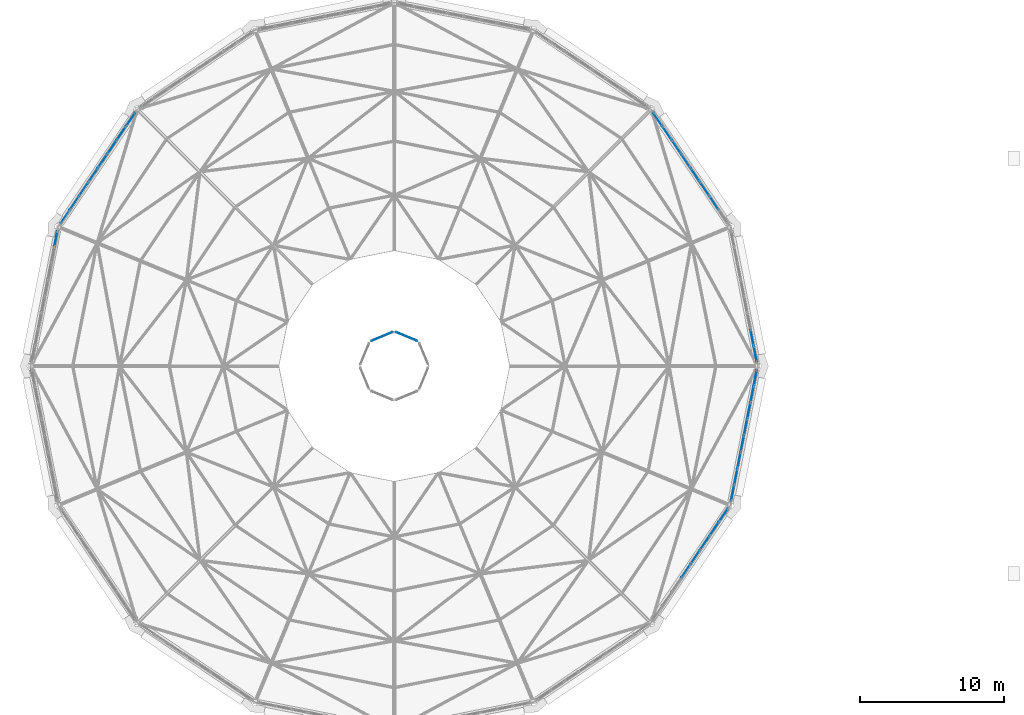
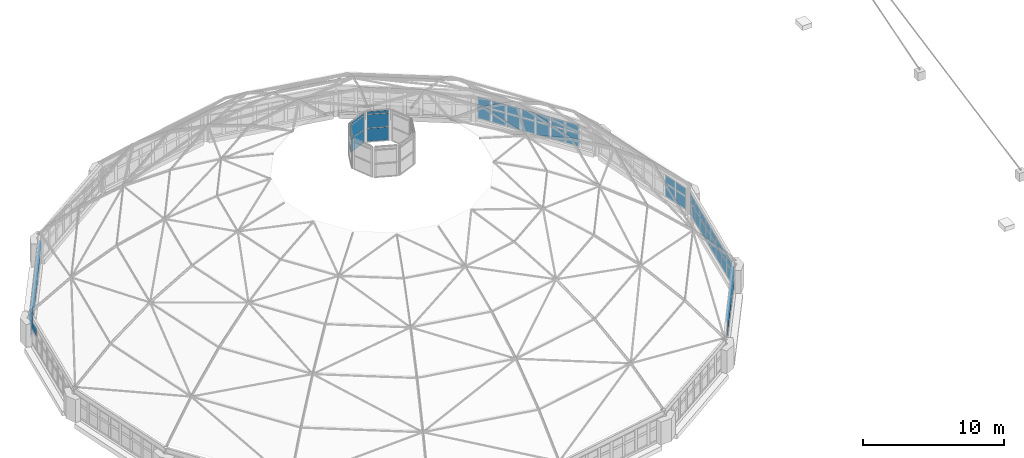
# One storey, part 42 of 68: 67 plates, 8 elements without a shape of their own.
"""IFC4 building model written with IfcOpenShell, lengths in metres."""

from ifc_helpers import new_model, si_unit, direction, frame, origin, origin_2d, place, context, subcontext, project, spatial, rectangle, extrude, material, layer, layer_set, type_object, element, aggregate, save


model = new_model("IFC4")

# Units and contexts
model_context = context("Model", 3, precision=1e-05, world=origin(), true_north=direction((0.0, 1.0)))
body_context = subcontext(model_context, "Body", "Model", "MODEL_VIEW")
ifc_project = project(units=[si_unit("LENGTHUNIT", "METRE"), si_unit("AREAUNIT", "SQUARE_METRE"), si_unit("VOLUMEUNIT", "CUBIC_METRE"), si_unit("PLANEANGLEUNIT", "RADIAN"), si_unit("MASSUNIT", "GRAM", prefix="KILO")], contexts=[model_context])

# Site, building, storey
site_placement = place(None, origin())
site = spatial("IfcSite", under=ifc_project, at=site_placement, CompositionType="ELEMENT")
building_placement = place(site_placement, origin())
building = spatial("IfcBuilding", under=site, at=building_placement, Name="Kupolbacken Congress Centre", CompositionType="ELEMENT")
storey_placement = place(building_placement, frame((0.0, 0.0, 25.199951171875)))
storey = spatial("IfcBuildingStorey", under=building, at=storey_placement, Name="L07", CompositionType="ELEMENT", Elevation=25.199951171875)

# Curtain wall, plates
ifc_material_1 = material(Name="Aluminium mullion-transom frame with glass", Category="aluminium")
curtain_wall_type_1 = type_object("IfcCurtainWallType", Name="CW8 curtain wall 2400x3600", PredefinedType="NOTDEFINED", material=ifc_material_1)
curtain_wall_1_placement = place(storey_placement, origin())
curtain_wall_1 = element("IfcCurtainWall", 1, at=curtain_wall_1_placement, inside=storey, type_object=curtain_wall_type_1, Name="DM/LAN/CW02", PredefinedType="NOTDEFINED")
ifc_material_2 = material(Name="Glass", Category="glass")
ifc_layer = layer(ifc_material_2, 0.028076171875)
ifc_layer_set = layer_set([ifc_layer], Name="Glass")
plate_type = type_object("IfcPlateType", Name="GL1 glass panel 28", PredefinedType="CURTAIN_PANEL", material=ifc_layer_set)
plate_1_placement = place(storey_placement, frame((44.048583984375, 88.448486328125, 13.89111328125), z_axis=(0.0, 0.0, 1.0), x_axis=(-0.923879532565, 0.382683432236, 0.0)))
plate_1 = element("IfcPlate", 2, at=plate_1_placement, type_object=plate_type, Name="CW8 panel 1.1", PredefinedType="CURTAIN_PANEL", context=body_context, shape_type="SweptSolid", body=[
    extrude(rectangle(XDim=1.568603515625, YDim=0.028076171875, at=origin_2d()), origin(), (0.0, 0.0, 1.0), 1.125),
])
plate_2_placement = place(storey_placement, frame((44.048583984375, 88.448486328125, 15.066162109375), z_axis=(0.0, 0.0, 1.0), x_axis=(-0.923879532565, 0.382683432236, 0.0)))
plate_2 = element("IfcPlate", 3, at=plate_2_placement, type_object=plate_type, Name="CW8 panel 1.2", PredefinedType="CURTAIN_PANEL", context=body_context, shape_type="SweptSolid", body=[
    extrude(rectangle(XDim=1.568603515625, YDim=0.028076171875, at=origin_2d()), origin(), (0.0, 0.0, 1.0), 1.14990234375),
])
plate_3_placement = place(storey_placement, frame((44.048583984375, 88.448486328125, 16.26611328125), z_axis=(0.0, 0.0, 1.0), x_axis=(-0.923879532565, 0.382683432236, 0.0)))
plate_3 = element("IfcPlate", 4, at=plate_3_placement, type_object=plate_type, Name="CW8 panel 1.3", PredefinedType="CURTAIN_PANEL", context=body_context, shape_type="SweptSolid", body=[
    extrude(rectangle(XDim=1.568603515625, YDim=0.028076171875, at=origin_2d()), origin(), (0.0, 0.0, 1.0), 0.22509765625),
])
aggregate(curtain_wall_1, [plate_1, plate_2, plate_3])

curtain_wall_2_placement = place(storey_placement, origin())
curtain_wall_2 = element("IfcCurtainWall", 5, at=curtain_wall_2_placement, inside=storey, type_object=curtain_wall_type_1, Name="DM/LAN/CW03", PredefinedType="NOTDEFINED")
plate_4_placement = place(storey_placement, frame((42.3515625, 88.448486328125, 13.89111328125), z_axis=(0.0, 0.0, 1.0), x_axis=(-0.923879532565, -0.382683432236, 0.0)))
plate_4 = element("IfcPlate", 6, at=plate_4_placement, type_object=plate_type, Name="CW8 panel 1.1", PredefinedType="CURTAIN_PANEL", context=body_context, shape_type="SweptSolid", body=[
    extrude(rectangle(XDim=1.568603515625, YDim=0.028076171875, at=origin_2d()), origin(), (0.0, 0.0, 1.0), 1.125),
])
plate_5_placement = place(storey_placement, frame((42.3515625, 88.448486328125, 15.066162109375), z_axis=(0.0, 0.0, 1.0), x_axis=(-0.923879532565, -0.382683432236, 0.0)))
plate_5 = element("IfcPlate", 7, at=plate_5_placement, type_object=plate_type, Name="CW8 panel 1.2", PredefinedType="CURTAIN_PANEL", context=body_context, shape_type="SweptSolid", body=[
    extrude(rectangle(XDim=1.568603515625, YDim=0.028076171875, at=origin_2d()), origin(), (0.0, 0.0, 1.0), 1.14990234375),
])
plate_6_placement = place(storey_placement, frame((42.3515625, 88.448486328125, 16.26611328125), z_axis=(0.0, 0.0, 1.0), x_axis=(-0.923879532565, -0.382683432236, 0.0)))
plate_6 = element("IfcPlate", 8, at=plate_6_placement, type_object=plate_type, Name="CW8 panel 1.3", PredefinedType="CURTAIN_PANEL", context=body_context, shape_type="SweptSolid", body=[
    extrude(rectangle(XDim=1.568603515625, YDim=0.028076171875, at=origin_2d()), origin(), (0.0, 0.0, 1.0), 0.22509765625),
])
aggregate(curtain_wall_2, [plate_4, plate_5, plate_6])

ifc_material_3 = material(Name="Aluminium mullion-transom frame with glass", Category="aluminium")
curtain_wall_type_2 = type_object("IfcCurtainWallType", Name="CW3 curtain wall 9830x3600", PredefinedType="NOTDEFINED", material=ifc_material_3)
curtain_wall_3_placement = place(storey_placement, origin())
curtain_wall_3 = element("IfcCurtainWall", 9, at=curtain_wall_3_placement, inside=storey, type_object=curtain_wall_type_2, Name="E/P/drum/cw/L07/06", PredefinedType="NOTDEFINED")
plate_7_placement = place(storey_placement, frame((63.423828125, 72.191650390625, 0.4599609375), z_axis=(0.0, 0.0, 1.0), x_axis=(0.559385512775, 0.82890762338, 0.0)))
plate_7 = element("IfcPlate", 10, at=plate_7_placement, type_object=plate_type, Name="CW3 panel 4.1", PredefinedType="CURTAIN_PANEL", context=body_context, shape_type="SweptSolid", body=[
    extrude(rectangle(XDim=1.1064453125, YDim=0.028076171875, at=origin_2d()), origin(), (0.0, 0.0, 1.0), 1.110107421875),
])
plate_8_placement = place(storey_placement, frame((63.423828125, 72.191650390625, 1.6298828125), z_axis=(0.0, 0.0, 1.0), x_axis=(0.559385512775, 0.82890762338, 0.0)))
plate_8 = element("IfcPlate", 11, at=plate_8_placement, type_object=plate_type, Name="CW3 panel 4.2", PredefinedType="CURTAIN_PANEL", context=body_context, shape_type="SweptSolid", body=[
    extrude(rectangle(XDim=1.1064453125, YDim=0.028076171875, at=origin_2d()), origin(), (0.0, 0.0, 1.0), 0.699951171875),
])
plate_9_placement = place(storey_placement, frame((64.076171875, 73.158447265625, 0.4599609375), z_axis=(0.0, 0.0, 1.0), x_axis=(0.559385512775, 0.82890762338, 0.0)))
plate_9 = element("IfcPlate", 12, at=plate_9_placement, type_object=plate_type, Name="CW3 panel 5.1", PredefinedType="CURTAIN_PANEL", context=body_context, shape_type="SweptSolid", body=[
    extrude(rectangle(XDim=1.1064453125, YDim=0.028076171875, at=origin_2d()), origin(), (0.0, 0.0, 1.0), 1.110107421875),
])
plate_10_placement = place(storey_placement, frame((64.076171875, 73.158447265625, 1.6298828125), z_axis=(0.0, 0.0, 1.0), x_axis=(0.559385512775, 0.82890762338, 0.0)))
plate_10 = element("IfcPlate", 13, at=plate_10_placement, type_object=plate_type, Name="CW3 panel 5.2", PredefinedType="CURTAIN_PANEL", context=body_context, shape_type="SweptSolid", body=[
    extrude(rectangle(XDim=1.1064453125, YDim=0.028076171875, at=origin_2d()), origin(), (0.0, 0.0, 1.0), 0.699951171875),
])
plate_11_placement = place(storey_placement, frame((64.728759765625, 74.12548828125, 0.4599609375), z_axis=(0.0, 0.0, 1.0), x_axis=(0.559385512775, 0.82890762338, 0.0)))
plate_11 = element("IfcPlate", 14, at=plate_11_placement, type_object=plate_type, Name="CW3 panel 6.1", PredefinedType="CURTAIN_PANEL", context=body_context, shape_type="SweptSolid", body=[
    extrude(rectangle(XDim=1.1064453125, YDim=0.028076171875, at=origin_2d()), origin(), (0.0, 0.0, 1.0), 1.110107421875),
])
plate_12_placement = place(storey_placement, frame((64.728759765625, 74.12548828125, 1.6298828125), z_axis=(0.0, 0.0, 1.0), x_axis=(0.559385512775, 0.82890762338, 0.0)))
plate_12 = element("IfcPlate", 15, at=plate_12_placement, type_object=plate_type, Name="CW3 panel 6.2", PredefinedType="CURTAIN_PANEL", context=body_context, shape_type="SweptSolid", body=[
    extrude(rectangle(XDim=1.1064453125, YDim=0.028076171875, at=origin_2d()), origin(), (0.0, 0.0, 1.0), 0.699951171875),
])
plate_13_placement = place(storey_placement, frame((65.38134765625, 75.09228515625, 0.4599609375), z_axis=(0.0, 0.0, 1.0), x_axis=(0.559385512775, 0.82890762338, 0.0)))
plate_13 = element("IfcPlate", 16, at=plate_13_placement, type_object=plate_type, Name="CW3 panel 7.1", PredefinedType="CURTAIN_PANEL", context=body_context, shape_type="SweptSolid", body=[
    extrude(rectangle(XDim=1.1064453125, YDim=0.028076171875, at=origin_2d()), origin(), (0.0, 0.0, 1.0), 1.110107421875),
])
plate_14_placement = place(storey_placement, frame((65.38134765625, 75.09228515625, 1.6298828125), z_axis=(0.0, 0.0, 1.0), x_axis=(0.559385512775, 0.82890762338, 0.0)))
plate_14 = element("IfcPlate", 17, at=plate_14_placement, type_object=plate_type, Name="CW3 panel 7.2", PredefinedType="CURTAIN_PANEL", context=body_context, shape_type="SweptSolid", body=[
    extrude(rectangle(XDim=1.1064453125, YDim=0.028076171875, at=origin_2d()), origin(), (0.0, 0.0, 1.0), 0.699951171875),
])
plate_15_placement = place(storey_placement, frame((66.025390625, 76.046875, 0.4599609375), z_axis=(0.0, 0.0, 1.0), x_axis=(0.559385512775, 0.82890762338, 0.0)))
plate_15 = element("IfcPlate", 18, at=plate_15_placement, type_object=plate_type, Name="CW3 panel 8.1", PredefinedType="CURTAIN_PANEL", context=body_context, shape_type="SweptSolid", body=[
    extrude(rectangle(XDim=1.076416015625, YDim=0.028076171875, at=origin_2d()), origin(), (0.0, 0.0, 1.0), 1.110107421875),
])
plate_16_placement = place(storey_placement, frame((66.025390625, 76.046875, 1.6298828125), z_axis=(0.0, 0.0, 1.0), x_axis=(0.559385512775, 0.82890762338, 0.0)))
plate_16 = element("IfcPlate", 19, at=plate_16_placement, type_object=plate_type, Name="CW3 panel 8.2", PredefinedType="CURTAIN_PANEL", context=body_context, shape_type="SweptSolid", body=[
    extrude(rectangle(XDim=1.076416015625, YDim=0.028076171875, at=origin_2d()), origin(), (0.0, 0.0, 1.0), 0.699951171875),
])
aggregate(curtain_wall_3, [plate_7, plate_8, plate_9, plate_10, plate_11, plate_12, plate_13, plate_14, plate_15, plate_16])

curtain_wall_4_placement = place(storey_placement, origin())
curtain_wall_4 = element("IfcCurtainWall", 20, at=curtain_wall_4_placement, inside=storey, type_object=curtain_wall_type_2, Name="E/P/drum/cw/L07/07", PredefinedType="NOTDEFINED")
plate_17_placement = place(storey_placement, frame((66.663818359375, 77.58251953125, 0.4599609375), z_axis=(0.0, 0.0, 1.0), x_axis=(0.193182327812, 0.981162875481, 0.0)))
plate_17 = element("IfcPlate", 21, at=plate_17_placement, type_object=plate_type, Name="CW3 panel 1.1", PredefinedType="CURTAIN_PANEL", context=body_context, shape_type="SweptSolid", body=[
    extrude(rectangle(XDim=1.076904296875, YDim=0.028076171875, at=origin_2d()), origin(), (0.0, 0.0, 1.0), 1.110107421875),
])
plate_18_placement = place(storey_placement, frame((66.663818359375, 77.58251953125, 1.6298828125), z_axis=(0.0, 0.0, 1.0), x_axis=(0.193182327812, 0.981162875481, 0.0)))
plate_18 = element("IfcPlate", 22, at=plate_18_placement, type_object=plate_type, Name="CW3 panel 1.2", PredefinedType="CURTAIN_PANEL", context=body_context, shape_type="SweptSolid", body=[
    extrude(rectangle(XDim=1.076904296875, YDim=0.028076171875, at=origin_2d()), origin(), (0.0, 0.0, 1.0), 0.699951171875),
])
plate_19_placement = place(storey_placement, frame((66.886474609375, 78.712646484375, 0.4599609375), z_axis=(0.0, 0.0, 1.0), x_axis=(0.193182327812, 0.981162875481, 0.0)))
plate_19 = element("IfcPlate", 23, at=plate_19_placement, type_object=plate_type, Name="CW3 panel 2.1", PredefinedType="CURTAIN_PANEL", context=body_context, shape_type="SweptSolid", body=[
    extrude(rectangle(XDim=1.10693359375, YDim=0.028076171875, at=origin_2d()), origin(), (0.0, 0.0, 1.0), 1.110107421875),
])
plate_20_placement = place(storey_placement, frame((66.886474609375, 78.712646484375, 1.6298828125), z_axis=(0.0, 0.0, 1.0), x_axis=(0.193182327812, 0.981162875481, 0.0)))
plate_20 = element("IfcPlate", 24, at=plate_20_placement, type_object=plate_type, Name="CW3 panel 2.2", PredefinedType="CURTAIN_PANEL", context=body_context, shape_type="SweptSolid", body=[
    extrude(rectangle(XDim=1.10693359375, YDim=0.028076171875, at=origin_2d()), origin(), (0.0, 0.0, 1.0), 0.699951171875),
])
plate_21_placement = place(storey_placement, frame((67.11181640625, 79.857666015625, 0.4599609375), z_axis=(0.0, 0.0, 1.0), x_axis=(0.193182327812, 0.981162875481, 0.0)))
plate_21 = element("IfcPlate", 25, at=plate_21_placement, type_object=plate_type, Name="CW3 panel 3.1", PredefinedType="CURTAIN_PANEL", context=body_context, shape_type="SweptSolid", body=[
    extrude(rectangle(XDim=1.10693359375, YDim=0.028076171875, at=origin_2d()), origin(), (0.0, 0.0, 1.0), 1.110107421875),
])
plate_22_placement = place(storey_placement, frame((67.11181640625, 79.857666015625, 1.6298828125), z_axis=(0.0, 0.0, 1.0), x_axis=(0.193182327812, 0.981162875481, 0.0)))
plate_22 = element("IfcPlate", 26, at=plate_22_placement, type_object=plate_type, Name="CW3 panel 3.2", PredefinedType="CURTAIN_PANEL", context=body_context, shape_type="SweptSolid", body=[
    extrude(rectangle(XDim=1.10693359375, YDim=0.028076171875, at=origin_2d()), origin(), (0.0, 0.0, 1.0), 0.699951171875),
])
plate_23_placement = place(storey_placement, frame((67.33740234375, 81.00244140625, 0.4599609375), z_axis=(0.0, 0.0, 1.0), x_axis=(0.193182327812, 0.981162875481, 0.0)))
plate_23 = element("IfcPlate", 27, at=plate_23_placement, type_object=plate_type, Name="CW3 panel 4.1", PredefinedType="CURTAIN_PANEL", context=body_context, shape_type="SweptSolid", body=[
    extrude(rectangle(XDim=1.10693359375, YDim=0.028076171875, at=origin_2d()), origin(), (0.0, 0.0, 1.0), 1.110107421875),
])
plate_24_placement = place(storey_placement, frame((67.33740234375, 81.00244140625, 1.6298828125), z_axis=(0.0, 0.0, 1.0), x_axis=(0.193182327812, 0.981162875481, 0.0)))
plate_24 = element("IfcPlate", 28, at=plate_24_placement, type_object=plate_type, Name="CW3 panel 4.2", PredefinedType="CURTAIN_PANEL", context=body_context, shape_type="SweptSolid", body=[
    extrude(rectangle(XDim=1.10693359375, YDim=0.028076171875, at=origin_2d()), origin(), (0.0, 0.0, 1.0), 0.699951171875),
])
plate_25_placement = place(storey_placement, frame((67.562744140625, 82.1474609375, 0.4599609375), z_axis=(0.0, 0.0, 1.0), x_axis=(0.193182327812, 0.981162875481, 0.0)))
plate_25 = element("IfcPlate", 29, at=plate_25_placement, type_object=plate_type, Name="CW3 panel 5.1", PredefinedType="CURTAIN_PANEL", context=body_context, shape_type="SweptSolid", body=[
    extrude(rectangle(XDim=1.10693359375, YDim=0.028076171875, at=origin_2d()), origin(), (0.0, 0.0, 1.0), 1.110107421875),
])
plate_26_placement = place(storey_placement, frame((67.562744140625, 82.1474609375, 1.6298828125), z_axis=(0.0, 0.0, 1.0), x_axis=(0.193182327812, 0.981162875481, 0.0)))
plate_26 = element("IfcPlate", 30, at=plate_26_placement, type_object=plate_type, Name="CW3 panel 5.2", PredefinedType="CURTAIN_PANEL", context=body_context, shape_type="SweptSolid", body=[
    extrude(rectangle(XDim=1.10693359375, YDim=0.028076171875, at=origin_2d()), origin(), (0.0, 0.0, 1.0), 0.699951171875),
])
plate_27_placement = place(storey_placement, frame((67.7880859375, 83.29248046875, 0.4599609375), z_axis=(0.0, 0.0, 1.0), x_axis=(0.193182327812, 0.981162875481, 0.0)))
plate_27 = element("IfcPlate", 31, at=plate_27_placement, type_object=plate_type, Name="CW3 panel 6.1", PredefinedType="CURTAIN_PANEL", context=body_context, shape_type="SweptSolid", body=[
    extrude(rectangle(XDim=1.10693359375, YDim=0.028076171875, at=origin_2d()), origin(), (0.0, 0.0, 1.0), 1.110107421875),
])
plate_28_placement = place(storey_placement, frame((67.7880859375, 83.29248046875, 1.6298828125), z_axis=(0.0, 0.0, 1.0), x_axis=(0.193182327812, 0.981162875481, 0.0)))
plate_28 = element("IfcPlate", 32, at=plate_28_placement, type_object=plate_type, Name="CW3 panel 6.2", PredefinedType="CURTAIN_PANEL", context=body_context, shape_type="SweptSolid", body=[
    extrude(rectangle(XDim=1.10693359375, YDim=0.028076171875, at=origin_2d()), origin(), (0.0, 0.0, 1.0), 0.699951171875),
])
plate_29_placement = place(storey_placement, frame((68.013671875, 84.437255859375, 0.4599609375), z_axis=(0.0, 0.0, 1.0), x_axis=(0.193182327812, 0.981162875481, 0.0)))
plate_29 = element("IfcPlate", 33, at=plate_29_placement, type_object=plate_type, Name="CW3 panel 7.1", PredefinedType="CURTAIN_PANEL", context=body_context, shape_type="SweptSolid", body=[
    extrude(rectangle(XDim=1.10693359375, YDim=0.028076171875, at=origin_2d()), origin(), (0.0, 0.0, 1.0), 1.110107421875),
])
plate_30_placement = place(storey_placement, frame((68.013671875, 84.437255859375, 1.6298828125), z_axis=(0.0, 0.0, 1.0), x_axis=(0.193182327812, 0.981162875481, 0.0)))
plate_30 = element("IfcPlate", 34, at=plate_30_placement, type_object=plate_type, Name="CW3 panel 7.2", PredefinedType="CURTAIN_PANEL", context=body_context, shape_type="SweptSolid", body=[
    extrude(rectangle(XDim=1.10693359375, YDim=0.028076171875, at=origin_2d()), origin(), (0.0, 0.0, 1.0), 0.699951171875),
])
plate_31_placement = place(storey_placement, frame((68.236083984375, 85.567626953125, 0.4599609375), z_axis=(0.0, 0.0, 1.0), x_axis=(0.193182327812, 0.981162875481, 0.0)))
plate_31 = element("IfcPlate", 35, at=plate_31_placement, type_object=plate_type, Name="CW3 panel 8.1", PredefinedType="CURTAIN_PANEL", context=body_context, shape_type="SweptSolid", body=[
    extrude(rectangle(XDim=1.076904296875, YDim=0.028076171875, at=origin_2d()), origin(), (0.0, 0.0, 1.0), 1.110107421875),
])
plate_32_placement = place(storey_placement, frame((68.236083984375, 85.567626953125, 1.6298828125), z_axis=(0.0, 0.0, 1.0), x_axis=(0.193182327812, 0.981162875481, 0.0)))
plate_32 = element("IfcPlate", 36, at=plate_32_placement, type_object=plate_type, Name="CW3 panel 8.2", PredefinedType="CURTAIN_PANEL", context=body_context, shape_type="SweptSolid", body=[
    extrude(rectangle(XDim=1.076904296875, YDim=0.028076171875, at=origin_2d()), origin(), (0.0, 0.0, 1.0), 0.699951171875),
])
aggregate(curtain_wall_4, [plate_17, plate_18, plate_19, plate_20, plate_21, plate_22, plate_23, plate_24, plate_25, plate_26, plate_27, plate_28, plate_29, plate_30, plate_31, plate_32])

curtain_wall_5_placement = place(storey_placement, origin())
curtain_wall_5 = element("IfcCurtainWall", 37, at=curtain_wall_5_placement, inside=storey, type_object=curtain_wall_type_2, Name="E/P/drum/cw/L07/08", PredefinedType="NOTDEFINED")
plate_33_placement = place(storey_placement, frame((68.236083984375, 87.232421875, 0.4599609375), z_axis=(0.0, 0.0, 1.0), x_axis=(-0.193182327812, 0.981162875481, 0.0)))
plate_33 = element("IfcPlate", 38, at=plate_33_placement, type_object=plate_type, Name="CW3 panel 1.1", PredefinedType="CURTAIN_PANEL", context=body_context, shape_type="SweptSolid", body=[
    extrude(rectangle(XDim=1.076904296875, YDim=0.028076171875, at=origin_2d()), origin(), (0.0, 0.0, 1.0), 1.110107421875),
])
plate_34_placement = place(storey_placement, frame((68.236083984375, 87.232421875, 1.6298828125), z_axis=(0.0, 0.0, 1.0), x_axis=(-0.193182327812, 0.981162875481, 0.0)))
plate_34 = element("IfcPlate", 39, at=plate_34_placement, type_object=plate_type, Name="CW3 panel 1.2", PredefinedType="CURTAIN_PANEL", context=body_context, shape_type="SweptSolid", body=[
    extrude(rectangle(XDim=1.076904296875, YDim=0.028076171875, at=origin_2d()), origin(), (0.0, 0.0, 1.0), 0.699951171875),
])
plate_35_placement = place(storey_placement, frame((68.013671875, 88.36279296875, 0.4599609375), z_axis=(0.0, 0.0, 1.0), x_axis=(-0.193182327812, 0.981162875481, 0.0)))
plate_35 = element("IfcPlate", 40, at=plate_35_placement, type_object=plate_type, Name="CW3 panel 2.1", PredefinedType="CURTAIN_PANEL", context=body_context, shape_type="SweptSolid", body=[
    extrude(rectangle(XDim=1.10693359375, YDim=0.028076171875, at=origin_2d()), origin(), (0.0, 0.0, 1.0), 1.110107421875),
])
plate_36_placement = place(storey_placement, frame((68.013671875, 88.36279296875, 1.6298828125), z_axis=(0.0, 0.0, 1.0), x_axis=(-0.193182327812, 0.981162875481, 0.0)))
plate_36 = element("IfcPlate", 41, at=plate_36_placement, type_object=plate_type, Name="CW3 panel 2.2", PredefinedType="CURTAIN_PANEL", context=body_context, shape_type="SweptSolid", body=[
    extrude(rectangle(XDim=1.10693359375, YDim=0.028076171875, at=origin_2d()), origin(), (0.0, 0.0, 1.0), 0.699951171875),
])
aggregate(curtain_wall_5, [plate_33, plate_34, plate_35, plate_36])

curtain_wall_6_placement = place(storey_placement, origin())
curtain_wall_6 = element("IfcCurtainWall", 42, at=curtain_wall_6_placement, inside=storey, type_object=curtain_wall_type_2, Name="E/P/drum/cw/L07/09", PredefinedType="NOTDEFINED")
plate_37_placement = place(storey_placement, frame((65.38134765625, 97.707763671875, 0.4599609375), z_axis=(0.0, 0.0, 1.0), x_axis=(-0.559385512775, 0.82890762338, 0.0)))
plate_37 = element("IfcPlate", 43, at=plate_37_placement, type_object=plate_type, Name="CW3 panel 2.1", PredefinedType="CURTAIN_PANEL", context=body_context, shape_type="SweptSolid", body=[
    extrude(rectangle(XDim=1.1064453125, YDim=0.028076171875, at=origin_2d()), origin(), (0.0, 0.0, 1.0), 1.110107421875),
])
plate_38_placement = place(storey_placement, frame((65.38134765625, 97.707763671875, 1.6298828125), z_axis=(0.0, 0.0, 1.0), x_axis=(-0.559385512775, 0.82890762338, 0.0)))
plate_38 = element("IfcPlate", 44, at=plate_38_placement, type_object=plate_type, Name="CW3 panel 2.2", PredefinedType="CURTAIN_PANEL", context=body_context, shape_type="SweptSolid", body=[
    extrude(rectangle(XDim=1.1064453125, YDim=0.028076171875, at=origin_2d()), origin(), (0.0, 0.0, 1.0), 0.699951171875),
])
plate_39_placement = place(storey_placement, frame((64.728759765625, 98.674560546875, 0.4599609375), z_axis=(0.0, 0.0, 1.0), x_axis=(-0.559385512775, 0.82890762338, 0.0)))
plate_39 = element("IfcPlate", 45, at=plate_39_placement, type_object=plate_type, Name="CW3 panel 3.1", PredefinedType="CURTAIN_PANEL", context=body_context, shape_type="SweptSolid", body=[
    extrude(rectangle(XDim=1.1064453125, YDim=0.028076171875, at=origin_2d()), origin(), (0.0, 0.0, 1.0), 1.110107421875),
])
plate_40_placement = place(storey_placement, frame((64.728759765625, 98.674560546875, 1.6298828125), z_axis=(0.0, 0.0, 1.0), x_axis=(-0.559385512775, 0.82890762338, 0.0)))
plate_40 = element("IfcPlate", 46, at=plate_40_placement, type_object=plate_type, Name="CW3 panel 3.2", PredefinedType="CURTAIN_PANEL", context=body_context, shape_type="SweptSolid", body=[
    extrude(rectangle(XDim=1.1064453125, YDim=0.028076171875, at=origin_2d()), origin(), (0.0, 0.0, 1.0), 0.699951171875),
])
plate_41_placement = place(storey_placement, frame((64.076171875, 99.6416015625, 0.4599609375), z_axis=(0.0, 0.0, 1.0), x_axis=(-0.559385512775, 0.82890762338, 0.0)))
plate_41 = element("IfcPlate", 47, at=plate_41_placement, type_object=plate_type, Name="CW3 panel 4.1", PredefinedType="CURTAIN_PANEL", context=body_context, shape_type="SweptSolid", body=[
    extrude(rectangle(XDim=1.1064453125, YDim=0.028076171875, at=origin_2d()), origin(), (0.0, 0.0, 1.0), 1.110107421875),
])
plate_42_placement = place(storey_placement, frame((64.076171875, 99.6416015625, 1.6298828125), z_axis=(0.0, 0.0, 1.0), x_axis=(-0.559385512775, 0.82890762338, 0.0)))
plate_42 = element("IfcPlate", 48, at=plate_42_placement, type_object=plate_type, Name="CW3 panel 4.2", PredefinedType="CURTAIN_PANEL", context=body_context, shape_type="SweptSolid", body=[
    extrude(rectangle(XDim=1.1064453125, YDim=0.028076171875, at=origin_2d()), origin(), (0.0, 0.0, 1.0), 0.699951171875),
])
plate_43_placement = place(storey_placement, frame((63.423828125, 100.6083984375, 0.4599609375), z_axis=(0.0, 0.0, 1.0), x_axis=(-0.559385512775, 0.82890762338, 0.0)))
plate_43 = element("IfcPlate", 49, at=plate_43_placement, type_object=plate_type, Name="CW3 panel 5.1", PredefinedType="CURTAIN_PANEL", context=body_context, shape_type="SweptSolid", body=[
    extrude(rectangle(XDim=1.1064453125, YDim=0.028076171875, at=origin_2d()), origin(), (0.0, 0.0, 1.0), 1.110107421875),
])
plate_44_placement = place(storey_placement, frame((63.423828125, 100.6083984375, 1.6298828125), z_axis=(0.0, 0.0, 1.0), x_axis=(-0.559385512775, 0.82890762338, 0.0)))
plate_44 = element("IfcPlate", 50, at=plate_44_placement, type_object=plate_type, Name="CW3 panel 5.2", PredefinedType="CURTAIN_PANEL", context=body_context, shape_type="SweptSolid", body=[
    extrude(rectangle(XDim=1.1064453125, YDim=0.028076171875, at=origin_2d()), origin(), (0.0, 0.0, 1.0), 0.699951171875),
])
plate_45_placement = place(storey_placement, frame((62.771240234375, 101.575439453125, 0.4599609375), z_axis=(0.0, 0.0, 1.0), x_axis=(-0.559385512775, 0.82890762338, 0.0)))
plate_45 = element("IfcPlate", 51, at=plate_45_placement, type_object=plate_type, Name="CW3 panel 6.1", PredefinedType="CURTAIN_PANEL", context=body_context, shape_type="SweptSolid", body=[
    extrude(rectangle(XDim=1.1064453125, YDim=0.028076171875, at=origin_2d()), origin(), (0.0, 0.0, 1.0), 1.110107421875),
])
plate_46_placement = place(storey_placement, frame((62.771240234375, 101.575439453125, 1.6298828125), z_axis=(0.0, 0.0, 1.0), x_axis=(-0.559385512775, 0.82890762338, 0.0)))
plate_46 = element("IfcPlate", 52, at=plate_46_placement, type_object=plate_type, Name="CW3 panel 6.2", PredefinedType="CURTAIN_PANEL", context=body_context, shape_type="SweptSolid", body=[
    extrude(rectangle(XDim=1.1064453125, YDim=0.028076171875, at=origin_2d()), origin(), (0.0, 0.0, 1.0), 0.699951171875),
])
plate_47_placement = place(storey_placement, frame((62.11865234375, 102.542236328125, 0.4599609375), z_axis=(0.0, 0.0, 1.0), x_axis=(-0.559385512775, 0.82890762338, 0.0)))
plate_47 = element("IfcPlate", 53, at=plate_47_placement, type_object=plate_type, Name="CW3 panel 7.1", PredefinedType="CURTAIN_PANEL", context=body_context, shape_type="SweptSolid", body=[
    extrude(rectangle(XDim=1.1064453125, YDim=0.028076171875, at=origin_2d()), origin(), (0.0, 0.0, 1.0), 1.110107421875),
])
plate_48_placement = place(storey_placement, frame((62.11865234375, 102.542236328125, 1.6298828125), z_axis=(0.0, 0.0, 1.0), x_axis=(-0.559385512775, 0.82890762338, 0.0)))
plate_48 = element("IfcPlate", 54, at=plate_48_placement, type_object=plate_type, Name="CW3 panel 7.2", PredefinedType="CURTAIN_PANEL", context=body_context, shape_type="SweptSolid", body=[
    extrude(rectangle(XDim=1.1064453125, YDim=0.028076171875, at=origin_2d()), origin(), (0.0, 0.0, 1.0), 0.699951171875),
])
plate_49_placement = place(storey_placement, frame((61.474609375, 103.496826171875, 0.4599609375), z_axis=(0.0, 0.0, 1.0), x_axis=(-0.559385512775, 0.82890762338, 0.0)))
plate_49 = element("IfcPlate", 55, at=plate_49_placement, type_object=plate_type, Name="CW3 panel 8.1", PredefinedType="CURTAIN_PANEL", context=body_context, shape_type="SweptSolid", body=[
    extrude(rectangle(XDim=1.076416015625, YDim=0.028076171875, at=origin_2d()), origin(), (0.0, 0.0, 1.0), 1.110107421875),
])
plate_50_placement = place(storey_placement, frame((61.474609375, 103.496826171875, 1.6298828125), z_axis=(0.0, 0.0, 1.0), x_axis=(-0.559385512775, 0.82890762338, 0.0)))
plate_50 = element("IfcPlate", 56, at=plate_50_placement, type_object=plate_type, Name="CW3 panel 8.2", PredefinedType="CURTAIN_PANEL", context=body_context, shape_type="SweptSolid", body=[
    extrude(rectangle(XDim=1.076416015625, YDim=0.028076171875, at=origin_2d()), origin(), (0.0, 0.0, 1.0), 0.699951171875),
])
aggregate(curtain_wall_6, [plate_37, plate_38, plate_39, plate_40, plate_41, plate_42, plate_43, plate_44, plate_45, plate_46, plate_47, plate_48, plate_49, plate_50])

curtain_wall_7_placement = place(storey_placement, origin())
curtain_wall_7 = element("IfcCurtainWall", 57, at=curtain_wall_7_placement, inside=storey, type_object=curtain_wall_type_2, Name="E/P/drum/cw/L07/14", PredefinedType="NOTDEFINED")
plate_51_placement = place(storey_placement, frame((24.925537109375, 103.496826171875, 0.4599609375), z_axis=(0.0, 0.0, 1.0), x_axis=(-0.559385512775, -0.82890762338, 0.0)))
plate_51 = element("IfcPlate", 58, at=plate_51_placement, type_object=plate_type, Name="CW3 panel 1.1", PredefinedType="CURTAIN_PANEL", context=body_context, shape_type="SweptSolid", body=[
    extrude(rectangle(XDim=1.076416015625, YDim=0.028076171875, at=origin_2d()), origin(), (0.0, 0.0, 1.0), 1.110107421875),
])
plate_52_placement = place(storey_placement, frame((24.925537109375, 103.496826171875, 1.6298828125), z_axis=(0.0, 0.0, 1.0), x_axis=(-0.559385512775, -0.82890762338, 0.0)))
plate_52 = element("IfcPlate", 59, at=plate_52_placement, type_object=plate_type, Name="CW3 panel 1.2", PredefinedType="CURTAIN_PANEL", context=body_context, shape_type="SweptSolid", body=[
    extrude(rectangle(XDim=1.076416015625, YDim=0.028076171875, at=origin_2d()), origin(), (0.0, 0.0, 1.0), 0.699951171875),
])
plate_53_placement = place(storey_placement, frame((24.28125, 102.542236328125, 0.4599609375), z_axis=(0.0, 0.0, 1.0), x_axis=(-0.559385512775, -0.82890762338, 0.0)))
plate_53 = element("IfcPlate", 60, at=plate_53_placement, type_object=plate_type, Name="CW3 panel 2.1", PredefinedType="CURTAIN_PANEL", context=body_context, shape_type="SweptSolid", body=[
    extrude(rectangle(XDim=1.1064453125, YDim=0.028076171875, at=origin_2d()), origin(), (0.0, 0.0, 1.0), 1.110107421875),
])
plate_54_placement = place(storey_placement, frame((24.28125, 102.542236328125, 1.6298828125), z_axis=(0.0, 0.0, 1.0), x_axis=(-0.559385512775, -0.82890762338, 0.0)))
plate_54 = element("IfcPlate", 61, at=plate_54_placement, type_object=plate_type, Name="CW3 panel 2.2", PredefinedType="CURTAIN_PANEL", context=body_context, shape_type="SweptSolid", body=[
    extrude(rectangle(XDim=1.1064453125, YDim=0.028076171875, at=origin_2d()), origin(), (0.0, 0.0, 1.0), 0.699951171875),
])
plate_55_placement = place(storey_placement, frame((23.62890625, 101.575439453125, 0.4599609375), z_axis=(0.0, 0.0, 1.0), x_axis=(-0.559385512775, -0.82890762338, 0.0)))
plate_55 = element("IfcPlate", 62, at=plate_55_placement, type_object=plate_type, Name="CW3 panel 3.1", PredefinedType="CURTAIN_PANEL", context=body_context, shape_type="SweptSolid", body=[
    extrude(rectangle(XDim=1.1064453125, YDim=0.028076171875, at=origin_2d()), origin(), (0.0, 0.0, 1.0), 1.110107421875),
])
plate_56_placement = place(storey_placement, frame((23.62890625, 101.575439453125, 1.6298828125), z_axis=(0.0, 0.0, 1.0), x_axis=(-0.559385512775, -0.82890762338, 0.0)))
plate_56 = element("IfcPlate", 63, at=plate_56_placement, type_object=plate_type, Name="CW3 panel 3.2", PredefinedType="CURTAIN_PANEL", context=body_context, shape_type="SweptSolid", body=[
    extrude(rectangle(XDim=1.1064453125, YDim=0.028076171875, at=origin_2d()), origin(), (0.0, 0.0, 1.0), 0.699951171875),
])
plate_57_placement = place(storey_placement, frame((22.976318359375, 100.6083984375, 0.4599609375), z_axis=(0.0, 0.0, 1.0), x_axis=(-0.559385512775, -0.82890762338, 0.0)))
plate_57 = element("IfcPlate", 64, at=plate_57_placement, type_object=plate_type, Name="CW3 panel 4.1", PredefinedType="CURTAIN_PANEL", context=body_context, shape_type="SweptSolid", body=[
    extrude(rectangle(XDim=1.1064453125, YDim=0.028076171875, at=origin_2d()), origin(), (0.0, 0.0, 1.0), 1.110107421875),
])
plate_58_placement = place(storey_placement, frame((22.976318359375, 100.6083984375, 1.6298828125), z_axis=(0.0, 0.0, 1.0), x_axis=(-0.559385512775, -0.82890762338, 0.0)))
plate_58 = element("IfcPlate", 65, at=plate_58_placement, type_object=plate_type, Name="CW3 panel 4.2", PredefinedType="CURTAIN_PANEL", context=body_context, shape_type="SweptSolid", body=[
    extrude(rectangle(XDim=1.1064453125, YDim=0.028076171875, at=origin_2d()), origin(), (0.0, 0.0, 1.0), 0.699951171875),
])
plate_59_placement = place(storey_placement, frame((22.32373046875, 99.6416015625, 0.4599609375), z_axis=(0.0, 0.0, 1.0), x_axis=(-0.559385512775, -0.82890762338, 0.0)))
plate_59 = element("IfcPlate", 66, at=plate_59_placement, type_object=plate_type, Name="CW3 panel 5.1", PredefinedType="CURTAIN_PANEL", context=body_context, shape_type="SweptSolid", body=[
    extrude(rectangle(XDim=1.1064453125, YDim=0.028076171875, at=origin_2d()), origin(), (0.0, 0.0, 1.0), 1.110107421875),
])
plate_60_placement = place(storey_placement, frame((22.32373046875, 99.6416015625, 1.6298828125), z_axis=(0.0, 0.0, 1.0), x_axis=(-0.559385512775, -0.82890762338, 0.0)))
plate_60 = element("IfcPlate", 67, at=plate_60_placement, type_object=plate_type, Name="CW3 panel 5.2", PredefinedType="CURTAIN_PANEL", context=body_context, shape_type="SweptSolid", body=[
    extrude(rectangle(XDim=1.1064453125, YDim=0.028076171875, at=origin_2d()), origin(), (0.0, 0.0, 1.0), 0.699951171875),
])
plate_61_placement = place(storey_placement, frame((21.671142578125, 98.674560546875, 0.4599609375), z_axis=(0.0, 0.0, 1.0), x_axis=(-0.559385512775, -0.82890762338, 0.0)))
plate_61 = element("IfcPlate", 68, at=plate_61_placement, type_object=plate_type, Name="CW3 panel 6.1", PredefinedType="CURTAIN_PANEL", context=body_context, shape_type="SweptSolid", body=[
    extrude(rectangle(XDim=1.1064453125, YDim=0.028076171875, at=origin_2d()), origin(), (0.0, 0.0, 1.0), 1.110107421875),
])
plate_62_placement = place(storey_placement, frame((21.671142578125, 98.674560546875, 1.6298828125), z_axis=(0.0, 0.0, 1.0), x_axis=(-0.559385512775, -0.82890762338, 0.0)))
plate_62 = element("IfcPlate", 69, at=plate_62_placement, type_object=plate_type, Name="CW3 panel 6.2", PredefinedType="CURTAIN_PANEL", context=body_context, shape_type="SweptSolid", body=[
    extrude(rectangle(XDim=1.1064453125, YDim=0.028076171875, at=origin_2d()), origin(), (0.0, 0.0, 1.0), 0.699951171875),
])
plate_63_placement = place(storey_placement, frame((21.0185546875, 97.707763671875, 0.4599609375), z_axis=(0.0, 0.0, 1.0), x_axis=(-0.559385512775, -0.82890762338, 0.0)))
plate_63 = element("IfcPlate", 70, at=plate_63_placement, type_object=plate_type, Name="CW3 panel 7.1", PredefinedType="CURTAIN_PANEL", context=body_context, shape_type="SweptSolid", body=[
    extrude(rectangle(XDim=1.1064453125, YDim=0.028076171875, at=origin_2d()), origin(), (0.0, 0.0, 1.0), 1.110107421875),
])
plate_64_placement = place(storey_placement, frame((21.0185546875, 97.707763671875, 1.6298828125), z_axis=(0.0, 0.0, 1.0), x_axis=(-0.559385512775, -0.82890762338, 0.0)))
plate_64 = element("IfcPlate", 71, at=plate_64_placement, type_object=plate_type, Name="CW3 panel 7.2", PredefinedType="CURTAIN_PANEL", context=body_context, shape_type="SweptSolid", body=[
    extrude(rectangle(XDim=1.1064453125, YDim=0.028076171875, at=origin_2d()), origin(), (0.0, 0.0, 1.0), 0.699951171875),
])
plate_65_placement = place(storey_placement, frame((20.37451171875, 96.753173828125, 0.4599609375), z_axis=(0.0, 0.0, 1.0), x_axis=(-0.559385512775, -0.82890762338, 0.0)))
plate_65 = element("IfcPlate", 72, at=plate_65_placement, type_object=plate_type, Name="CW3 panel 8.1", PredefinedType="CURTAIN_PANEL", context=body_context, shape_type="SweptSolid", body=[
    extrude(rectangle(XDim=1.076416015625, YDim=0.028076171875, at=origin_2d()), origin(), (0.0, 0.0, 1.0), 1.110107421875),
])
plate_66_placement = place(storey_placement, frame((20.37451171875, 96.753173828125, 1.6298828125), z_axis=(0.0, 0.0, 1.0), x_axis=(-0.559385512775, -0.82890762338, 0.0)))
plate_66 = element("IfcPlate", 73, at=plate_66_placement, type_object=plate_type, Name="CW3 panel 8.2", PredefinedType="CURTAIN_PANEL", context=body_context, shape_type="SweptSolid", body=[
    extrude(rectangle(XDim=1.076416015625, YDim=0.028076171875, at=origin_2d()), origin(), (0.0, 0.0, 1.0), 0.699951171875),
])
aggregate(curtain_wall_7, [plate_51, plate_52, plate_53, plate_54, plate_55, plate_56, plate_57, plate_58, plate_59, plate_60, plate_61, plate_62, plate_63, plate_64, plate_65, plate_66])

# Curtain wall, plate
curtain_wall_8_placement = place(storey_placement, origin())
curtain_wall_8 = element("IfcCurtainWall", 74, at=curtain_wall_8_placement, inside=storey, type_object=curtain_wall_type_2, Name="E/P/drum/cw/L07/15", PredefinedType="NOTDEFINED")
plate_67_placement = place(storey_placement, frame((19.736083984375, 95.217529296875, 1.6298828125), z_axis=(0.0, 0.0, 1.0), x_axis=(-0.193182327812, -0.981162875481, 0.0)))
plate_67 = element("IfcPlate", 75, at=plate_67_placement, type_object=plate_type, Name="CW3 panel 1.2", PredefinedType="CURTAIN_PANEL", context=body_context, shape_type="SweptSolid", body=[
    extrude(rectangle(XDim=1.076904296875, YDim=0.028076171875, at=origin_2d()), origin(), (0.0, 0.0, 1.0), 0.699951171875),
])
aggregate(curtain_wall_8, [plate_67])

save(model, "model.ifc")
